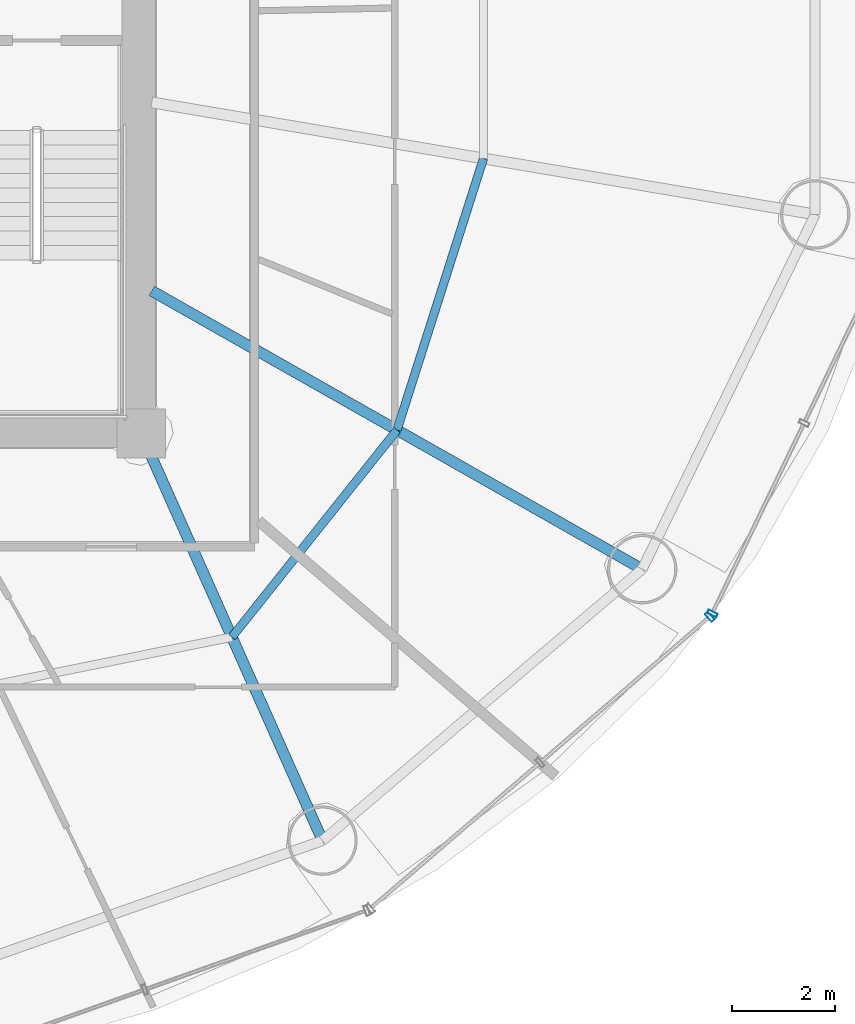
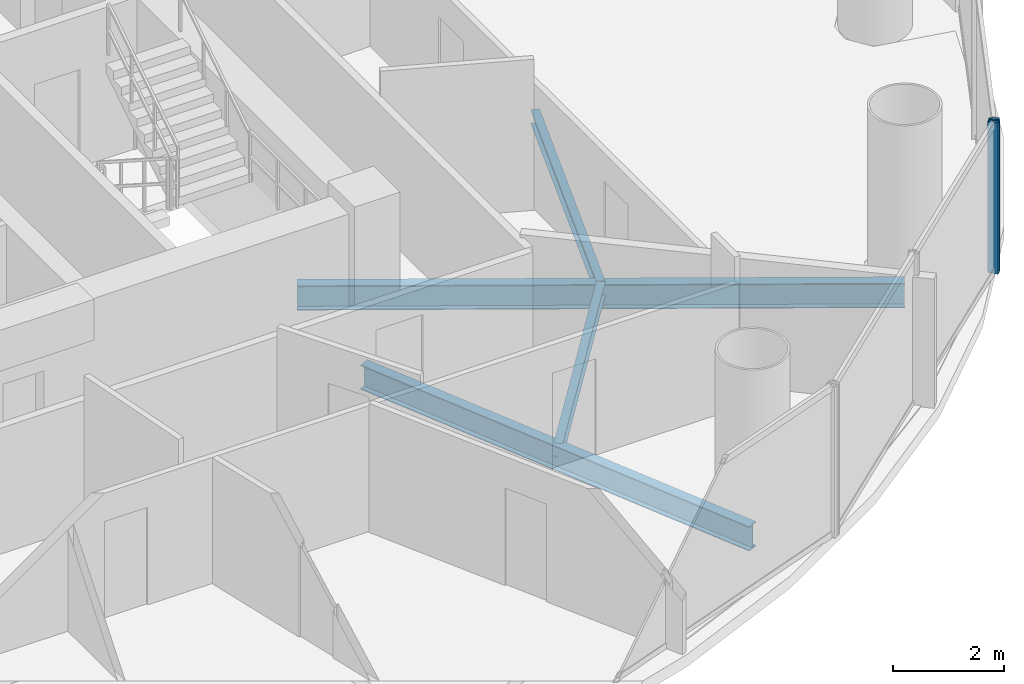
# One storey, part 10 of 27: 4 beams, 2 members, 2 elements without a shape of their own.
"""IFC4 building model written with IfcOpenShell, lengths in metres."""

from ifc_helpers import new_model, si_unit, direction, frame, origin, origin_2d, place, context, subcontext, project, spatial, hollow_rectangle, i_section, extrude, source, transform, mapped, material, material_profile, profile_set, type_object, element, aggregate, save


model = new_model("IFC4")

# Units and contexts
model_context = context("Model", 3, precision=1e-05, world=origin(), true_north=direction((-0.2419218956, 0.970295726276)))
body_context = subcontext(model_context, "Body", "Model", "MODEL_VIEW")
ifc_project = project(units=[si_unit("LENGTHUNIT", "METRE"), si_unit("AREAUNIT", "SQUARE_METRE"), si_unit("VOLUMEUNIT", "CUBIC_METRE"), si_unit("PLANEANGLEUNIT", "RADIAN"), si_unit("MASSUNIT", "GRAM", prefix="KILO")], contexts=[model_context])

# Site, building, storey
site_placement = place(None, origin())
site = spatial("IfcSite", under=ifc_project, at=site_placement, CompositionType="ELEMENT")
building_placement = place(site_placement, origin())
building = spatial("IfcBuilding", under=site, at=building_placement, Name="Cobrevalo Terracotta Tower", CompositionType="ELEMENT")
storey_placement = place(building_placement, frame((0.0, 0.0, 149.800048828125)))
storey = spatial("IfcBuildingStorey", under=building, at=storey_placement, Name="L39", CompositionType="ELEMENT", Elevation=149.800048828125)

# Beams
ifc_material_1 = material(Name="Steel S355", Category="steel")
ifc_material_profile_1 = material_profile(ifc_material_1, i_section(OverallWidth=0.2109375, OverallDepth=0.5390625, WebThickness=0.01171875, FlangeThickness=0.018798828125, at=origin_2d()), Name="W 530x109")
ifc_profile_set_1 = profile_set([ifc_material_profile_1], Name="Steel S355")
beam_type_1 = type_object("IfcBeamType", Name="Structural Beam W 530x109 (Steel S355)", PredefinedType="BEAM", material=ifc_profile_set_1)
beam_1_placement = place(storey_placement, frame((50.528076171875, 10.87744140625, -0.53955078125), z_axis=(-0.406804395691, 0.913515289224, 0.0), x_axis=(-0.913515289224, -0.406804395691, 0.0)))
element("IfcBeam", 1, at=beam_1_placement, inside=storey, type_object=beam_type_1, Name="L39 radial floor girder 14", PredefinedType="BEAM", context=body_context, shape_type="SweptSolid", body=[
    extrude(i_section(OverallWidth=0.2109375, OverallDepth=0.5390625, WebThickness=0.01171875, FlangeThickness=0.018798828125, at=origin_2d()), origin(), (0.0, 0.0, 1.0), 8.672607421875),
])
beam_2_placement = place(storey_placement, frame((56.749755859375, 16.160888671875, -0.53955078125), z_axis=(-0.869743726706, 0.493503647257, 0.0), x_axis=(-0.493503647257, -0.869743726706, 0.0)))
element("IfcBeam", 2, at=beam_2_placement, inside=storey, type_object=beam_type_1, Name="L39 radial floor girder 15", PredefinedType="BEAM", context=body_context, shape_type="SweptSolid", body=[
    extrude(i_section(OverallWidth=0.2109375, OverallDepth=0.5390625, WebThickness=0.01171875, FlangeThickness=0.018798828125, at=origin_2d()), origin(), (0.0, 0.0, 1.0), 10.97412109375),
])
ifc_material_profile_2 = material_profile(ifc_material_1, i_section(OverallWidth=0.1650390625, OverallDepth=0.31005859375, WebThickness=0.005859375, FlangeThickness=0.009765625, at=origin_2d()), Name="W 310x38.7")
ifc_profile_set_2 = profile_set([ifc_material_profile_2], Name="Steel S355")
beam_type_2 = type_object("IfcBeamType", Name="Structural Joist W 310x38.7 (Steel S355)", PredefinedType="JOIST", material=ifc_profile_set_2)
beam_3_placement = place(storey_placement, frame((48.76416015625, 14.838623046875, -0.425048828125), z_axis=(0.623382939397, 0.781916690492, 0.0), x_axis=(-0.781916690492, 0.623382939397, 0.0)))
element("IfcBeam", 3, at=beam_3_placement, inside=storey, type_object=beam_type_2, Name="L39 circumferential secondary floor joist 14", PredefinedType="JOIST", context=body_context, shape_type="SweptSolid", body=[
    extrude(i_section(OverallWidth=0.1650390625, OverallDepth=0.31005859375, WebThickness=0.005859375, FlangeThickness=0.009765625, at=origin_2d()), origin(), (0.0, 0.0, 1.0), 5.154296875),
])
beam_4_placement = place(storey_placement, frame((51.977294921875, 18.868896484375, -0.425048828125), z_axis=(0.303497928386, 0.952832098255, 0.0), x_axis=(-0.952832098255, 0.303497928386, 0.0)))
element("IfcBeam", 4, at=beam_4_placement, inside=storey, type_object=beam_type_2, Name="L39 circumferential secondary floor joist 15", PredefinedType="JOIST", context=body_context, shape_type="SweptSolid", body=[
    extrude(i_section(OverallWidth=0.1650390625, OverallDepth=0.31005859375, WebThickness=0.005859375, FlangeThickness=0.009765625, at=origin_2d()), origin(), (0.0, 0.0, 1.0), 5.54736328125),
])

# Curtain wall, member
ifc_material_2 = material(Name="Anodized aluminium", Category="aluminium")
curtain_wall_type = type_object("IfcCurtainWallType", Name="Mid-tower high-wind unitised curtain wall CW-U2", PredefinedType="NOTDEFINED", material=ifc_material_2)
curtain_wall_1_placement = place(storey_placement, origin())
curtain_wall_1 = element("IfcCurtainWall", 5, at=curtain_wall_1_placement, inside=storey, type_object=curtain_wall_type, Name="L39 curtain wall CW-L39-S14", PredefinedType="NOTDEFINED")
ifc_material_profile_3 = material_profile(ifc_material_2, hollow_rectangle(XDim=0.074951171875, YDim=0.199951171875, WallThickness=0.0048828125, at=origin_2d()), Name="CWM 75x200")
ifc_profile_set_3 = profile_set([ifc_material_profile_3], Name="Anodized aluminium")
member_type = type_object("IfcMemberType", Name="Lower/mid tower unitised mullion 75x200", PredefinedType="MULLION", material=ifc_profile_set_3)
shared_shape = source(origin(), body_context, "Body", "SweptSolid", [
    extrude(hollow_rectangle(XDim=0.074951171875, YDim=0.199951171875, WallThickness=0.0048828125, at=origin_2d()), origin(), (0.0, 0.0, 1.0), 3.329833984375),
])
member_1_placement = place(storey_placement, frame((58.066162109375, 15.234619140625, 0.0), z_axis=(0.0, 0.0, 1.0), x_axis=(0.758441546142, 0.65174106905, 0.0)))
member_1 = element("IfcMember", 6, at=member_1_placement, type_object=member_type, Name="CW-L39-S14 vertical mullion 03", PredefinedType="MULLION", context=body_context, shape_type="MappedRepresentation", body=[
    mapped(shared_shape, transform((0.0, 0.0, 0.0), scale=1.0)),
])
aggregate(curtain_wall_1, [member_1])

curtain_wall_2_placement = place(storey_placement, origin())
curtain_wall_2 = element("IfcCurtainWall", 7, at=curtain_wall_2_placement, inside=storey, type_object=curtain_wall_type, Name="L39 curtain wall CW-L39-S15", PredefinedType="NOTDEFINED")
member_2_placement = place(storey_placement, frame((58.114013671875, 15.296875, 0.0), z_axis=(0.0, 0.0, 1.0), x_axis=(0.434209440271, 0.900811945957, 0.0)))
member_2 = element("IfcMember", 8, at=member_2_placement, type_object=member_type, Name="CW-L39-S15 vertical mullion 01", PredefinedType="MULLION", context=body_context, shape_type="MappedRepresentation", body=[
    mapped(shared_shape, transform((0.0, 0.0, 0.0), scale=1.0)),
])
aggregate(curtain_wall_2, [member_2])

save(model, "model.ifc")
